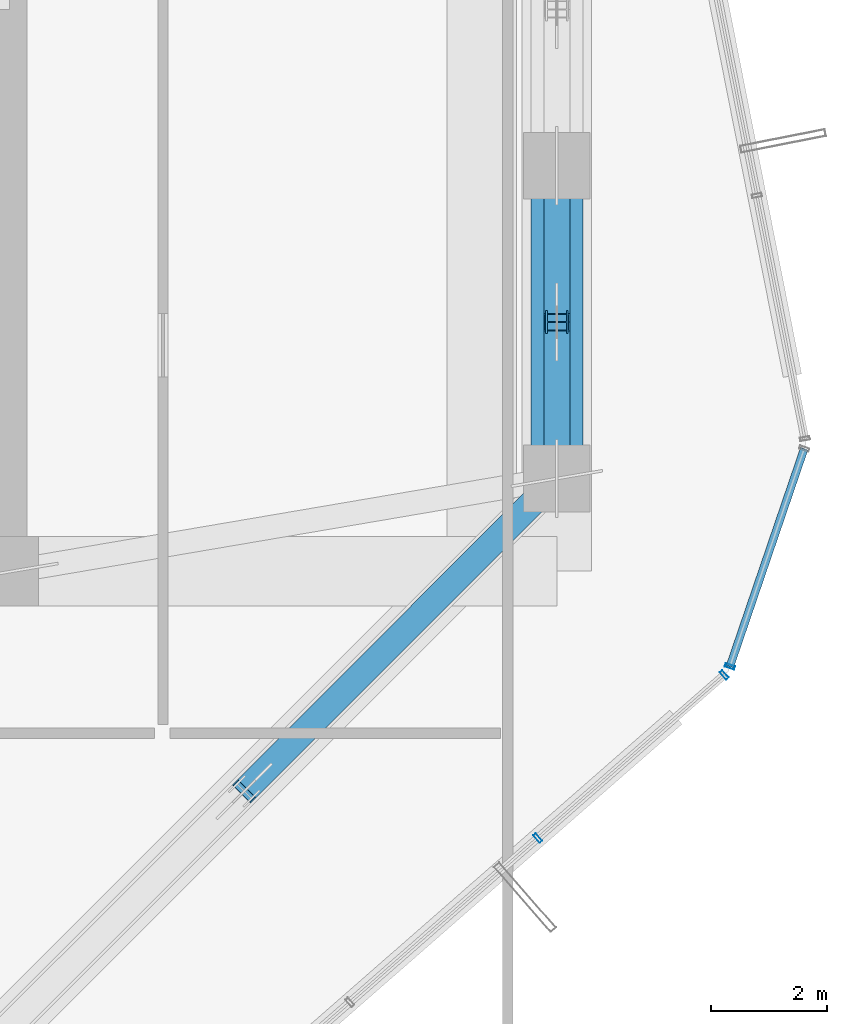
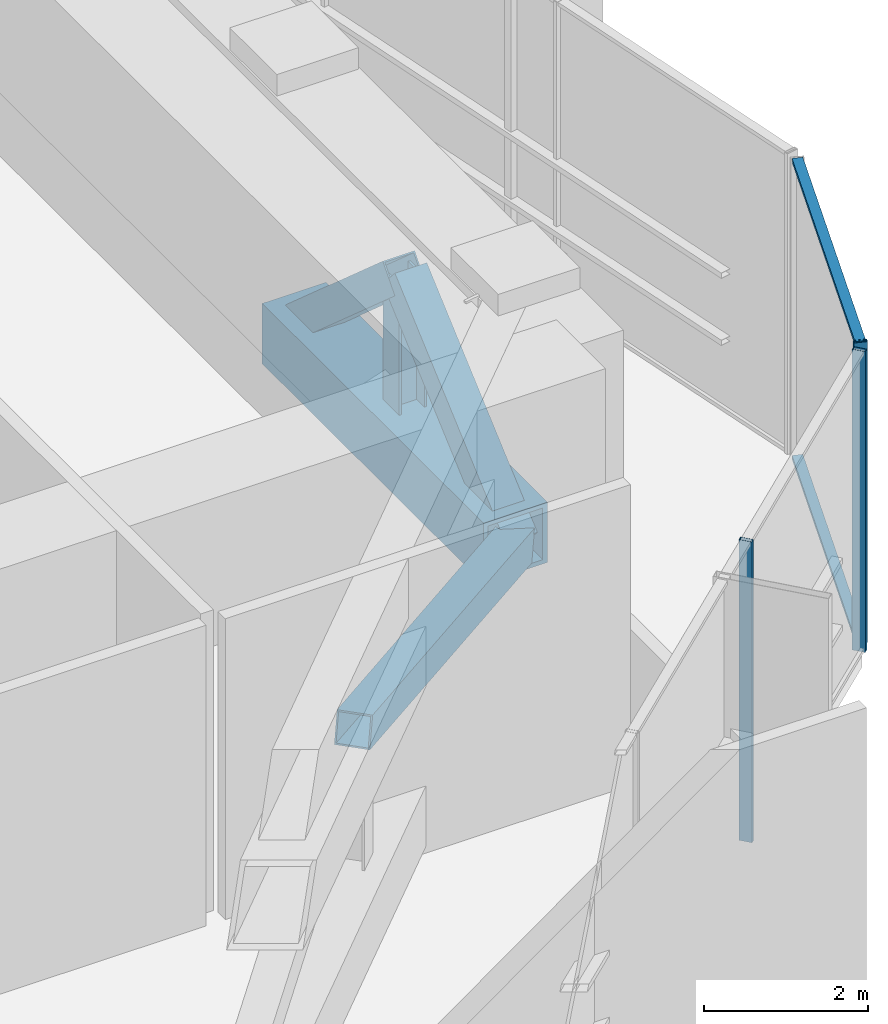
# One storey, part 18 of 36: 10 members, 2 elements without a shape of their own.
"""IFC4 building model written with IfcOpenShell, lengths in metres."""

from ifc_helpers import new_model, si_unit, direction, frame, origin, origin_2d, place, context, subcontext, project, spatial, hollow_rectangle, i_section, extrude, source, transform, mapped, material, layer, layer_set, material_profile, profile_set, type_object, element, aggregate, save


model = new_model("IFC4")

# Units and contexts
model_context = context("Model", 3, precision=1e-05, world=origin(), true_north=direction((0.0, 1.0)))
body_context = subcontext(model_context, "Body", "Model", "MODEL_VIEW")
ifc_project = project(units=[si_unit("LENGTHUNIT", "METRE"), si_unit("AREAUNIT", "SQUARE_METRE"), si_unit("VOLUMEUNIT", "CUBIC_METRE"), si_unit("PLANEANGLEUNIT", "RADIAN"), si_unit("MASSUNIT", "GRAM", prefix="KILO")], contexts=[model_context])

# Site, building, storey
site_placement = place(None, origin())
site = spatial("IfcSite", under=ifc_project, at=site_placement, CompositionType="ELEMENT")
building_placement = place(site_placement, origin())
building = spatial("IfcBuilding", under=site, at=building_placement, Name="Veraguas Prism Commons", CompositionType="ELEMENT")
storey_placement = place(building_placement, frame((0.0, 0.0, 169.550048828125)))
storey = spatial("IfcBuildingStorey", under=building, at=storey_placement, Name="L48", CompositionType="ELEMENT", Elevation=169.550048828125)

# Members
ifc_material_1 = material(Name="Steel ASTM A913 Grade 65", Category="steel")
ifc_material_profile_1 = material_profile(ifc_material_1, hollow_rectangle(XDim=0.89990234375, YDim=0.89990234375, WallThickness=0.06494140625, at=origin_2d()), Name="BOX900X900X65")
ifc_profile_set_1 = profile_set([ifc_material_profile_1], Name="Steel ASTM A913 Grade 65")
member_type_1 = type_object("IfcMemberType", Name="Belt Truss Chord L48 Box 900x900x65", PredefinedType="CHORD", material=ifc_profile_set_1)
member_1_placement = place(storey_placement, frame((40.199951171875, 18.60009765625, 0.550048828125), z_axis=(0.0, 1.0, 0.0), x_axis=(-1.0, 0.0, 0.0)))
element("IfcMember", 1, at=member_1_placement, inside=storey, type_object=member_type_1, Name="Perimeter Belt Truss Chord Bottom L48-01", PredefinedType="CHORD", context=body_context, shape_type="SweptSolid", body=[
    extrude(hollow_rectangle(XDim=0.89990234375, YDim=0.89990234375, WallThickness=0.06494140625, at=origin_2d()), origin(), (0.0, 0.0, 1.0), 5.39990234375),
])
ifc_material_2 = material(Name="Steel ASTM A992 Grade 50", Category="steel")
ifc_material_profile_2 = material_profile(ifc_material_2, i_section(OverallWidth=0.39794921875, OverallDepth=0.386962890625, WebThickness=0.01904296875, FlangeThickness=0.0302734375, at=origin_2d()), Name="W360X262")
ifc_profile_set_2 = profile_set([ifc_material_profile_2], Name="Steel ASTM A992 Grade 50")
member_type_2 = type_object("IfcMemberType", Name="Belt Truss Vertical Strut W360x262", PredefinedType="STRUT", material=ifc_profile_set_2)
member_2_placement = place(storey_placement, frame((40.199951171875, 21.300048828125, 0.550048828125), z_axis=(0.0, 0.0, 1.0), x_axis=(0.0, 1.0, 0.0)))
element("IfcMember", 2, at=member_2_placement, inside=storey, type_object=member_type_2, Name="Perimeter Belt Truss Strut L48-01", PredefinedType="STRUT", context=body_context, shape_type="SweptSolid", body=[
    extrude(i_section(OverallWidth=0.39794921875, OverallDepth=0.386962890625, WebThickness=0.01904296875, FlangeThickness=0.0302734375, at=origin_2d()), origin(), (0.0, 0.0, 1.0), 2.3798828125),
])
ifc_material_3 = material(Name="Steel ASTM A500 Grade C", Category="steel")
ifc_material_profile_3 = material_profile(ifc_material_3, hollow_rectangle(XDim=0.449951171875, YDim=0.449951171875, WallThickness=0.02197265625, at=origin_2d()), Name="HSS450X450X22")
ifc_profile_set_3 = profile_set([ifc_material_profile_3], Name="Steel ASTM A500 Grade C")
member_type_3 = type_object("IfcMemberType", Name="Mid Belt Diagonal HSS 450x450x22", PredefinedType="BRACE", material=ifc_profile_set_3)
for number, where, z_axis, x_axis, name in (
    (3, (40.199951171875, 18.60009765625, 0.550048828125), (0.0, 0.75017230872, 0.661242396727), (-1.0, 0.0, 0.0), "Perimeter Belt Truss Brace L48-01A"),
    (4, (40.199951171875, 24.0, 0.550048828125), (0.0, -0.75017230872, 0.661242396727), (1.0, 0.0, 0.0), "Perimeter Belt Truss Brace L48-01B"),
):
    element("IfcMember", number, at=place(storey_placement, frame(where, z_axis=z_axis, x_axis=x_axis)), inside=storey, type_object=member_type_3, Name=name, PredefinedType="BRACE", context=body_context, shape_type="SweptSolid", body=[
        extrude(hollow_rectangle(XDim=0.449951171875, YDim=0.449951171875, WallThickness=0.02197265625, at=origin_2d()), origin(), (0.0, 0.0, 1.0), 3.59912109375),
    ])
member_3_placement = place(storey_placement, frame((40.199951171875, 18.60009765625, 0.550048828125), z_axis=(-0.675070232643, -0.675100753948, 0.297521684954), x_axis=(0.707122765516, -0.707090796496, 0.0)))
element("IfcMember", 5, at=member_3_placement, inside=storey, type_object=member_type_3, Name="Perimeter Belt Truss Brace L48-12B", PredefinedType="BRACE", context=body_context, shape_type="SweptSolid", body=[
    extrude(hollow_rectangle(XDim=0.449951171875, YDim=0.449951171875, WallThickness=0.02197265625, at=origin_2d()), origin(), (0.0, 0.0, 1.0), 7.9990234375),
])

# Curtain wall, members
ifc_material_4 = material(Name="Anodised aluminium EN AW-6063 T6", Category="aluminium")
ifc_layer = layer(ifc_material_4, 0.169921875, Name="Unitised Flush Curtain Wall Zone 2", Category="aluminium")
ifc_layer_set = layer_set([ifc_layer], Name="Anodised aluminium EN AW-6063 T6")
curtain_wall_type = type_object("IfcCurtainWallType", Name="Unitised Flush Curtain Wall Zone 2", PredefinedType="NOTDEFINED", material=ifc_layer_set)
curtain_wall_1_placement = place(storey_placement, origin())
curtain_wall_1 = element("IfcCurtainWall", 6, at=curtain_wall_1_placement, inside=storey, type_object=curtain_wall_type, Name="Tower Facade Curtain Wall L48-F5", PredefinedType="NOTDEFINED")
ifc_material_profile_4 = material_profile(ifc_material_4, hollow_rectangle(XDim=0.06005859375, YDim=0.169921875, WallThickness=0.00390625, at=origin_2d()), Name="AL60X170X4")
ifc_profile_set_4 = profile_set([ifc_material_profile_4], Name="Anodised aluminium EN AW-6063 T6")
member_type_4 = type_object("IfcMemberType", Name="Curtain Wall Mullion Lower AL 60x170x4", PredefinedType="MULLION", material=ifc_profile_set_4)
shared_shape_1 = source(origin(), body_context, "Body", "SweptSolid", [
    extrude(hollow_rectangle(XDim=0.06005859375, YDim=0.169921875, WallThickness=0.00390625, at=origin_2d()), origin(), (0.0, 0.0, 1.0), 4.47998046875),
])
member_4_placement = place(storey_placement, frame((39.868896484375, 12.393798828125, 0.0), z_axis=(0.0, 0.0, 1.0), x_axis=(0.752872280062, 0.658166642967, 0.0)))
member_4 = element("IfcMember", 7, at=member_4_placement, type_object=member_type_4, Name="CW-Z2 Mullion 4", PredefinedType="MULLION", context=body_context, shape_type="MappedRepresentation", body=[
    mapped(shared_shape_1, transform((0.0, 0.0, 0.0), scale=1.0)),
])
member_5_placement = place(storey_placement, frame((43.09033203125, 15.209716796875, 0.0), z_axis=(0.0, 0.0, 1.0), x_axis=(0.752872280062, 0.658166642967, 0.0)))
member_5 = element("IfcMember", 8, at=member_5_placement, type_object=member_type_4, Name="CW-Z2 Mullion 5", PredefinedType="MULLION", context=body_context, shape_type="MappedRepresentation", body=[
    mapped(shared_shape_1, transform((0.0, 0.0, 0.0), scale=1.0)),
])
aggregate(curtain_wall_1, [member_4, member_5])

curtain_wall_2_placement = place(storey_placement, origin())
curtain_wall_2 = element("IfcCurtainWall", 9, at=curtain_wall_2_placement, inside=storey, type_object=curtain_wall_type, Name="Chamfer Curtain Wall L48-C6", PredefinedType="NOTDEFINED")
member_6_placement = place(storey_placement, frame((43.18701171875, 15.354248046875, 0.0), z_axis=(0.0, 0.0, 1.0), x_axis=(0.322929806142, 0.946422918311, 0.0)))
member_6 = element("IfcMember", 10, at=member_6_placement, type_object=member_type_4, Name="CW-Z2 Mullion 1", PredefinedType="MULLION", context=body_context, shape_type="MappedRepresentation", body=[
    mapped(shared_shape_1, transform((0.0, 0.0, 0.0), scale=1.0)),
])
ifc_material_profile_5 = material_profile(ifc_material_4, hollow_rectangle(XDim=0.054931640625, YDim=0.135009765625, WallThickness=0.0029296875, at=origin_2d()), Name="AL55X135X3")
ifc_profile_set_5 = profile_set([ifc_material_profile_5], Name="Anodised aluminium EN AW-6063 T6")
member_type_5 = type_object("IfcMemberType", Name="Curtain Wall Transom Standard AL 55x135x3", PredefinedType="USERDEFINED", material=ifc_profile_set_5)
shared_shape_2 = source(origin(), body_context, "Body", "SweptSolid", [
    extrude(hollow_rectangle(XDim=0.054931640625, YDim=0.135009765625, WallThickness=0.0029296875, at=origin_2d()), origin(), (0.0, 0.0, 1.0), 3.97314453125),
])
member_7_placement = place(storey_placement, frame((43.18701171875, 15.354248046875, 0.02734375), z_axis=(0.322966675309, 0.946410337348, 0.0), x_axis=(0.0, 0.0, 1.0)))
member_7 = element("IfcMember", 11, at=member_7_placement, type_object=member_type_5, Name="CW-Z2 Transom 1", ObjectType="TRANSOM", PredefinedType="USERDEFINED", context=body_context, shape_type="MappedRepresentation", body=[
    mapped(shared_shape_2, transform((0.0, 0.0, 0.0), scale=1.0)),
])
member_8_placement = place(storey_placement, frame((43.18701171875, 15.354248046875, 4.452392578125), z_axis=(0.322966675309, 0.946410337348, 0.0), x_axis=(0.0, 0.0, 1.0)))
member_8 = element("IfcMember", 12, at=member_8_placement, type_object=member_type_5, Name="CW-Z2 Transom 2", ObjectType="TRANSOM", PredefinedType="USERDEFINED", context=body_context, shape_type="MappedRepresentation", body=[
    mapped(shared_shape_2, transform((0.0, 0.0, 0.0), scale=1.0)),
])
aggregate(curtain_wall_2, [member_6, member_7, member_8])

save(model, "model.ifc")
